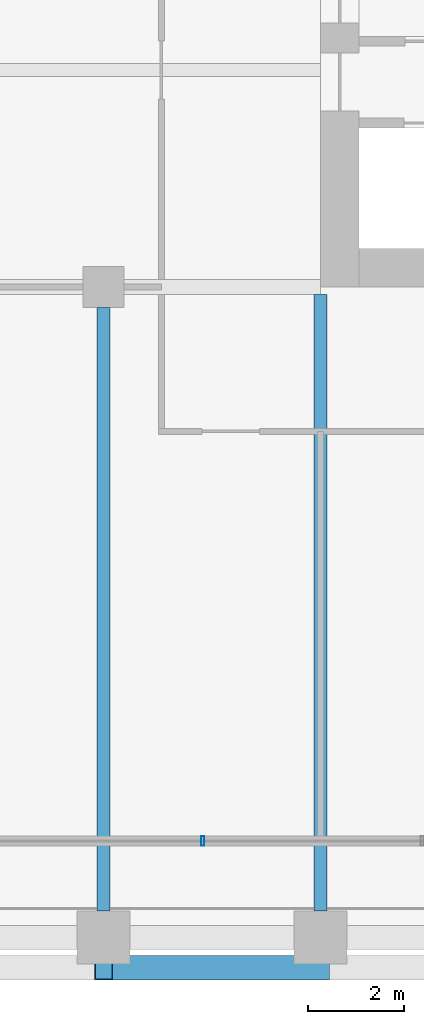
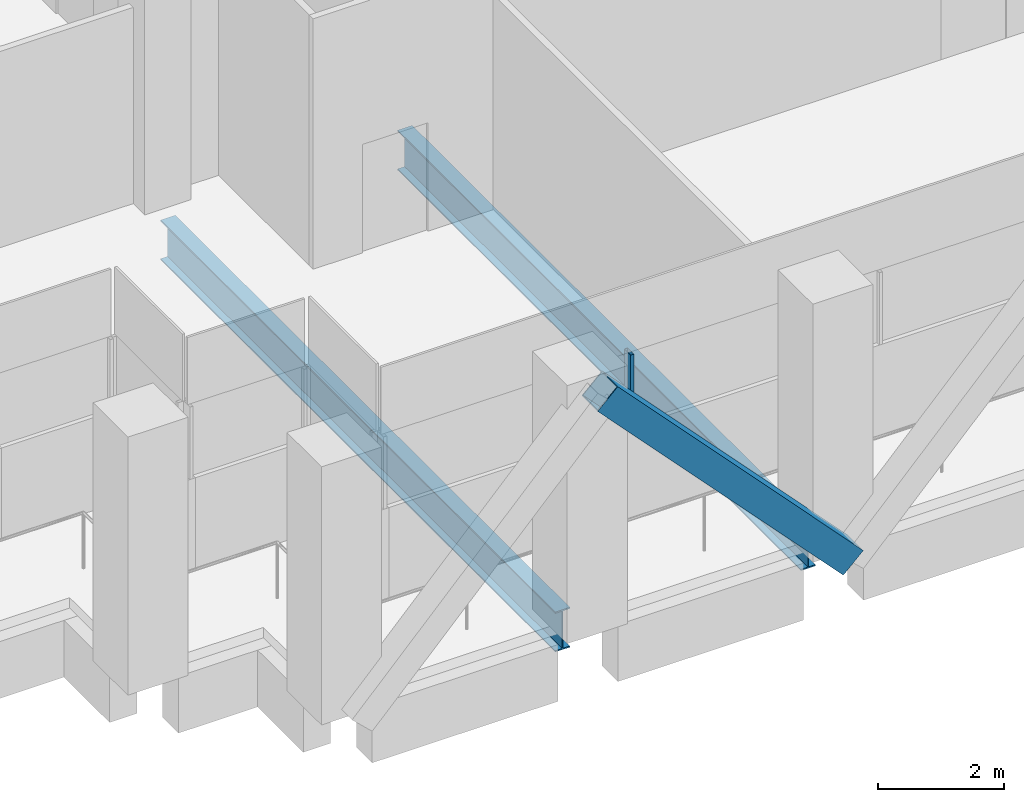
# One storey, part 3 of 44: 2 beams, 2 members, 1 element without a shape of its own.
"""IFC4 building model written with IfcOpenShell, lengths in metres."""

from ifc_helpers import new_model, si_unit, direction, frame, origin, origin_2d, place, context, subcontext, project, spatial, hollow_rectangle, i_section, extrude, material, material_profile, profile_set, type_object, element, aggregate, save


model = new_model("IFC4")

# Units and contexts
model_context = context("Model", 3, precision=1e-05, world=origin(), true_north=direction((0.0, 1.0)))
body_context = subcontext(model_context, "Body", "Model", "MODEL_VIEW")
ifc_project = project(units=[si_unit("LENGTHUNIT", "METRE"), si_unit("AREAUNIT", "SQUARE_METRE"), si_unit("VOLUMEUNIT", "CUBIC_METRE"), si_unit("PLANEANGLEUNIT", "RADIAN"), si_unit("MASSUNIT", "GRAM", prefix="KILO")], contexts=[model_context])

# Site, building, storey
site_placement = place(None, origin())
site = spatial("IfcSite", under=ifc_project, at=site_placement, CompositionType="ELEMENT")
building_placement = place(site_placement, origin())
building = spatial("IfcBuilding", under=site, at=building_placement, Name="Altepetl Exchange Towers", CompositionType="ELEMENT")
storey_placement = place(building_placement, frame((0.0, 0.0, 87.0)))
storey = spatial("IfcBuildingStorey", under=building, at=storey_placement, Name="L21 Refuge", CompositionType="ELEMENT", Elevation=87.0)

# Member
ifc_material_1 = material(Name="Steel S355", Category="steel")
ifc_material_profile_1 = material_profile(ifc_material_1, hollow_rectangle(XDim=0.508056640625, YDim=0.508056640625, WallThickness=0.017578125, at=origin_2d()), Name="HSS508X508X19.0")
ifc_profile_set_1 = profile_set([ifc_material_profile_1], Name="Steel S355")
member_type_1 = type_object("IfcMemberType", Name="Belt diagonal HSS508X508X19.0", PredefinedType="BRACE", material=ifc_profile_set_1)
member_1_placement = place(storey_placement, frame((36.0, 26.3701171875, 4.75), z_axis=(0.687744647911, 0.0, -0.725952683906), x_axis=(0.0, 1.0, 0.0)))
element("IfcMember", 1, at=member_1_placement, inside=storey, type_object=member_type_1, Name="brc:A:L21:001", PredefinedType="BRACE", context=body_context, shape_type="SweptSolid", body=[
    extrude(hollow_rectangle(XDim=0.508056640625, YDim=0.508056640625, WallThickness=0.017578125, at=origin_2d()), origin(), (0.0, 0.0, 1.0), 6.543212890625),
])

# Beams
ifc_material_profile_2 = material_profile(ifc_material_1, i_section(OverallWidth=0.26806640625, OverallDepth=0.77392578125, WebThickness=0.015380859375, FlangeThickness=0.025390625, at=origin_2d()), Name="W30X132")
ifc_profile_set_2 = profile_set([ifc_material_profile_2], Name="Steel S355")
beam_type = type_object("IfcBeamType", Name="Floor beam W30X132", PredefinedType="BEAM", material=ifc_profile_set_2)
beam_1_placement = place(storey_placement, frame((36.0, 27.550048828125, -0.5869140625), z_axis=(0.0, 1.0, 0.0), x_axis=(-1.0, 0.0, 0.0)))
element("IfcBeam", 2, at=beam_1_placement, inside=storey, type_object=beam_type, Name="bm:A:L21:013", PredefinedType="BEAM", context=body_context, shape_type="SweptSolid", body=[
    extrude(i_section(OverallWidth=0.26806640625, OverallDepth=0.77392578125, WebThickness=0.015380859375, FlangeThickness=0.025390625, at=origin_2d()), origin(), (0.0, 0.0, 1.0), 12.52490234375),
])
beam_2_placement = place(storey_placement, frame((40.5, 27.550048828125, -0.5869140625), z_axis=(0.0, 1.0, 0.0), x_axis=(-1.0, 0.0, 0.0)))
element("IfcBeam", 3, at=beam_2_placement, inside=storey, type_object=beam_type, Name="bm:A:L21:014", PredefinedType="BEAM", context=body_context, shape_type="SweptSolid", body=[
    extrude(i_section(OverallWidth=0.26806640625, OverallDepth=0.77392578125, WebThickness=0.015380859375, FlangeThickness=0.025390625, at=origin_2d()), origin(), (0.0, 0.0, 1.0), 12.7958984375),
])

# Curtain wall, member
ifc_material_2 = material(Name="Aluminium 6063-T6 glazing", Category="aluminium")
curtain_wall_type = type_object("IfcCurtainWallType", Name="Refuge slit glazing system", PredefinedType="NOTDEFINED", material=ifc_material_2)
curtain_wall_placement = place(storey_placement, origin())
curtain_wall = element("IfcCurtainWall", 4, at=curtain_wall_placement, inside=storey, type_object=curtain_wall_type, Name="CW3 run", PredefinedType="NOTDEFINED")
ifc_material_3 = material(Name="Aluminium 6063-T6", Category="aluminium")
ifc_material_profile_3 = material_profile(ifc_material_3, hollow_rectangle(XDim=0.06005859375, YDim=0.199951171875, WallThickness=0.0029296875, at=origin_2d()), Name="Mullion 60x200 aluminium")
ifc_profile_set_3 = profile_set([ifc_material_profile_3], Name="Aluminium 6063-T6")
member_type_2 = type_object("IfcMemberType", Name="Mullion 60x200 aluminium", PredefinedType="MULLION", material=ifc_profile_set_3)
member_2_placement = place(storey_placement, frame((38.05712890625, 29.0, 1.800048828125)))
member_2 = element("IfcMember", 5, at=member_2_placement, type_object=member_type_2, Name="MU2 mullion", PredefinedType="MULLION", context=body_context, shape_type="SweptSolid", body=[
    extrude(hollow_rectangle(XDim=0.06005859375, YDim=0.199951171875, WallThickness=0.0029296875, at=origin_2d()), origin(), (0.0, 0.0, 1.0), 1.39990234375),
])
aggregate(curtain_wall, [member_2])

save(model, "model.ifc")
